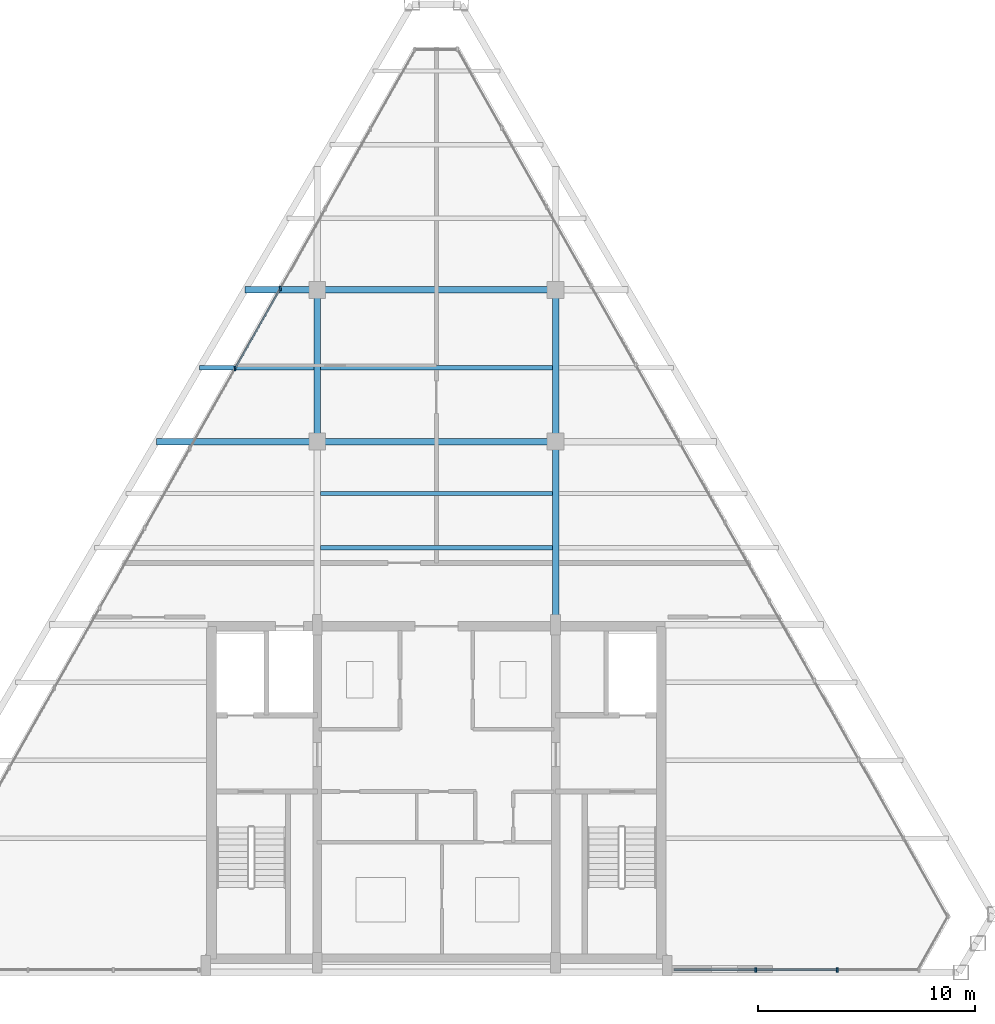
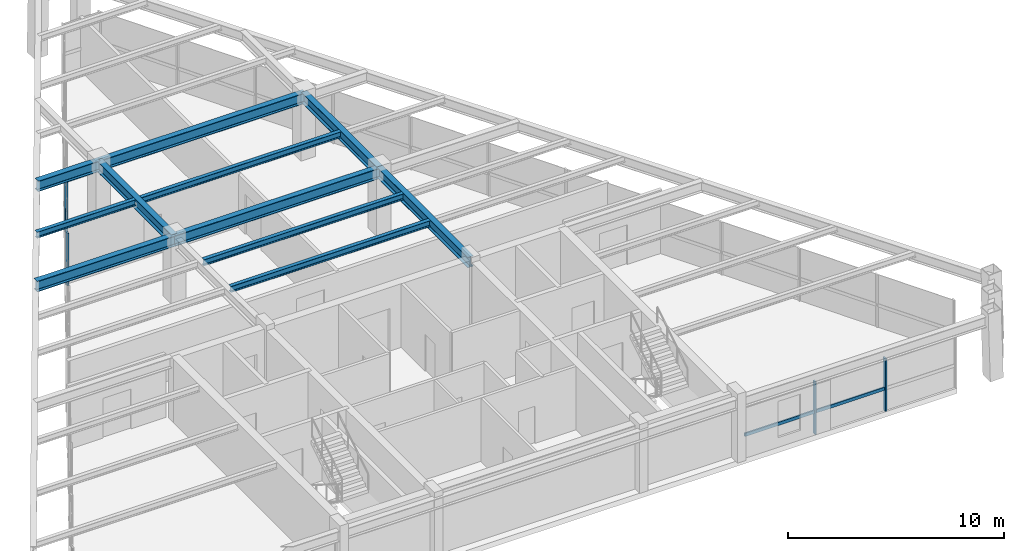
# One storey, part 5 of 12: 11 beams, 7 members, 2 elements without a shape of their own.
"""IFC4 building model written with IfcOpenShell, lengths in metres."""

from ifc_helpers import new_model, si_unit, direction, frame, origin, origin_2d, place, context, subcontext, project, spatial, rectangle, i_section, extrude, source, transform, mapped, material, material_profile, profile_set, type_object, type_shapes, element, aggregate, save


model = new_model("IFC4")

# Units and contexts
model_context = context("Model", 3, precision=1e-05, world=origin(), true_north=direction((0.0, 1.0)))
body_context = subcontext(model_context, "Body", "Model", "MODEL_VIEW")
ifc_project = project(units=[si_unit("LENGTHUNIT", "METRE"), si_unit("AREAUNIT", "SQUARE_METRE"), si_unit("VOLUMEUNIT", "CUBIC_METRE"), si_unit("PLANEANGLEUNIT", "RADIAN"), si_unit("MASSUNIT", "GRAM", prefix="KILO")], contexts=[model_context])

# Site, building, storey
site_placement = place(None, origin())
site = spatial("IfcSite", under=ifc_project, at=site_placement, CompositionType="ELEMENT")
building_placement = place(site_placement, origin())
building = spatial("IfcBuilding", under=site, at=building_placement, Name="Varnakhor Terracotta Tower", CompositionType="ELEMENT")
storey_placement = place(building_placement, frame((0.0, 0.0, 317.5)))
storey = spatial("IfcBuildingStorey", under=building, at=storey_placement, Name="L83 Crown", CompositionType="ELEMENT", Elevation=317.5)

# Beams
ifc_material_1 = material(Name="Steel S355", Category="steel")
ifc_material_profile_1 = material_profile(ifc_material_1, i_section(OverallWidth=0.300048828125, OverallDepth=0.60009765625, WebThickness=0.015380859375, FlangeThickness=0.030029296875, FilletRadius=0.01806640625, at=origin_2d()), Name="HEB600")
ifc_profile_set_1 = profile_set([ifc_material_profile_1], Name="Steel S355")
beam_type_1 = type_object("IfcBeamType", Name="BM-HEB600", PredefinedType="BEAM", material=ifc_profile_set_1)
shared_shape_1 = source(origin(), body_context, "Body", "SweptSolid", [
    extrude(i_section(OverallWidth=0.300048828125, OverallDepth=0.60009765625, WebThickness=0.015380859375, FlangeThickness=0.030029296875, FilletRadius=0.01806640625, at=origin_2d()), origin(), (0.0, 0.0, 1.0), 8.449951171875),
])
beam_1_placement = place(storey_placement, frame((5.5, 16.050048828125, 3.300048828125), z_axis=(0.0, 1.0, 0.0), x_axis=(-1.0, 0.0, 0.0)))
element("IfcBeam", 1, at=beam_1_placement, inside=storey, type_object=beam_type_1, Name="L83 Crown Primary Girder NS1-E", PredefinedType="BEAM", context=body_context, shape_type="MappedRepresentation", body=[
    mapped(shared_shape_1, transform((0.0, 0.0, 0.0), scale=1.0)),
])
shared_shape_2 = source(origin(), body_context, "Body", "SweptSolid", [
    extrude(i_section(OverallWidth=0.300048828125, OverallDepth=0.60009765625, WebThickness=0.015380859375, FlangeThickness=0.030029296875, FilletRadius=0.01806640625, at=origin_2d()), origin(), (0.0, 0.0, 1.0), 7.0),
])
for number, where, z_axis, x_axis, name in (
    (2, (-5.5, 24.5, 3.300048828125), (0.0, 1.0, 0.0), (-1.0, 0.0, 0.0), "L83 Crown Primary Girder NS2-W"),
    (3, (5.5, 24.5, 3.300048828125), (0.0, 1.0, 0.0), (-1.0, 0.0, 0.0), "L83 Crown Primary Girder NS2-E"),
):
    element("IfcBeam", number, at=place(storey_placement, frame(where, z_axis=z_axis, x_axis=x_axis)), inside=storey, type_object=beam_type_1, Name=name, PredefinedType="BEAM", context=body_context, shape_type="MappedRepresentation", body=[
        mapped(shared_shape_2, transform((0.0, 0.0, 0.0), scale=1.0)),
    ])
shared_shape_3 = source(origin(), body_context, "Body", "SweptSolid", [
    extrude(i_section(OverallWidth=0.300048828125, OverallDepth=0.60009765625, WebThickness=0.015380859375, FlangeThickness=0.030029296875, FilletRadius=0.01806640625, at=origin_2d()), origin(), (0.0, 0.0, 1.0), 11.0),
])
for number, where, z_axis, x_axis, name in (
    (4, (-5.5, 24.5, 3.300048828125), (1.0, 0.0, 0.0), (0.0, 1.0, 0.0), "L83 Crown Primary Girder EW2-2"),
    (5, (-5.5, 31.5, 3.300048828125), (1.0, 0.0, 0.0), (0.0, 1.0, 0.0), "L83 Crown Primary Girder EW3-2"),
):
    element("IfcBeam", number, at=place(storey_placement, frame(where, z_axis=z_axis, x_axis=x_axis)), inside=storey, type_object=beam_type_1, Name=name, PredefinedType="BEAM", context=body_context, shape_type="MappedRepresentation", body=[
        mapped(shared_shape_3, transform((0.0, 0.0, 0.0), scale=1.0)),
    ])
ifc_material_profile_2 = material_profile(ifc_material_1, i_section(OverallWidth=0.202880859375, OverallDepth=0.346923828125, WebThickness=0.0078125, FlangeThickness=0.013427734375, FilletRadius=0.01806640625, at=origin_2d()), Name="W14X43")
ifc_profile_set_2 = profile_set([ifc_material_profile_2], Name="Steel S355")
beam_type_2 = type_object("IfcBeamType", Name="JST-W14X43", PredefinedType="JOIST", material=ifc_profile_set_2)
shared_shape_4 = source(origin(), body_context, "Body", "SweptSolid", [
    extrude(i_section(OverallWidth=0.202880859375, OverallDepth=0.346923828125, WebThickness=0.0078125, FlangeThickness=0.013427734375, FilletRadius=0.01806640625, at=origin_2d()), origin(), (0.0, 0.0, 1.0), 10.7080078125),
])
for number, where, z_axis, x_axis, name in (
    (6, (-5.35400390625, 19.60009765625, 3.426513671875), (1.0, 0.0, 0.0), (0.0, 1.0, 0.0), "L83 Crown Composite Floor Joist 4-2"),
    (7, (-5.35400390625, 22.10009765625, 3.426513671875), (1.0, 0.0, 0.0), (0.0, 1.0, 0.0), "L83 Crown Composite Floor Joist 5-2"),
    (8, (-5.35400390625, 27.89990234375, 3.426513671875), (1.0, 0.0, 0.0), (0.0, 1.0, 0.0), "L83 Crown Composite Floor Joist 6-2"),
):
    element("IfcBeam", number, at=place(storey_placement, frame(where, z_axis=z_axis, x_axis=x_axis)), inside=storey, type_object=beam_type_2, Name=name, PredefinedType="JOIST", context=body_context, shape_type="MappedRepresentation", body=[
        mapped(shared_shape_4, transform((0.0, 0.0, 0.0), scale=1.0)),
    ])
shared_shape_5 = source(origin(), body_context, "Body", "SweptSolid", [
    extrude(i_section(OverallWidth=0.300048828125, OverallDepth=0.60009765625, WebThickness=0.015380859375, FlangeThickness=0.030029296875, FilletRadius=0.01806640625, at=origin_2d()), origin(), (0.0, 0.0, 1.0), 7.425048828125),
])
beam_2_placement = place(storey_placement, frame((-12.925048828125, 24.5, 3.300048828125), z_axis=(1.0, 0.0, 0.0), x_axis=(0.0, 1.0, 0.0)))
element("IfcBeam", 9, at=beam_2_placement, inside=storey, type_object=beam_type_1, Name="L83 Crown Primary Girder EW2-1", PredefinedType="BEAM", context=body_context, shape_type="MappedRepresentation", body=[
    mapped(shared_shape_5, transform((0.0, 0.0, 0.0), scale=1.0)),
])
shared_shape_6 = source(origin(), body_context, "Body", "SweptSolid", [
    extrude(i_section(OverallWidth=0.300048828125, OverallDepth=0.60009765625, WebThickness=0.015380859375, FlangeThickness=0.030029296875, FilletRadius=0.01806640625, at=origin_2d()), origin(), (0.0, 0.0, 1.0), 3.3310546875),
])
beam_3_placement = place(storey_placement, frame((-8.8310546875, 31.5, 3.300048828125), z_axis=(1.0, 0.0, 0.0), x_axis=(0.0, 1.0, 0.0)))
element("IfcBeam", 10, at=beam_3_placement, inside=storey, type_object=beam_type_1, Name="L83 Crown Primary Girder EW3-1", PredefinedType="BEAM", context=body_context, shape_type="MappedRepresentation", body=[
    mapped(shared_shape_6, transform((0.0, 0.0, 0.0), scale=1.0)),
])
shared_shape_7 = source(origin(), body_context, "Body", "SweptSolid", [
    extrude(i_section(OverallWidth=0.202880859375, OverallDepth=0.346923828125, WebThickness=0.0078125, FlangeThickness=0.013427734375, FilletRadius=0.01806640625, at=origin_2d()), origin(), (0.0, 0.0, 1.0), 5.29052734375),
])
beam_4_placement = place(storey_placement, frame((-10.9365234375, 27.89990234375, 3.426513671875), z_axis=(1.0, 0.0, 0.0), x_axis=(0.0, 1.0, 0.0)))
element("IfcBeam", 11, at=beam_4_placement, inside=storey, type_object=beam_type_2, Name="L83 Crown Composite Floor Joist 6-1", PredefinedType="JOIST", context=body_context, shape_type="MappedRepresentation", body=[
    mapped(shared_shape_7, transform((0.0, 0.0, 0.0), scale=1.0)),
])

# Curtain wall, members
ifc_material_2 = material(Name="Anodised Aluminium Curtain Wall System", Category="aluminium")
curtain_wall_type = type_object("IfcCurtainWallType", Name="CW-SYS-CROWN", PredefinedType="NOTDEFINED", material=ifc_material_2)
curtain_wall_1_placement = place(storey_placement, origin())
curtain_wall_1 = element("IfcCurtainWall", 12, at=curtain_wall_1_placement, inside=storey, type_object=curtain_wall_type, Name="L83 Crown Facet Curtain Wall 1", PredefinedType="NOTDEFINED")
ifc_material_3 = material(Name="Anodised Aluminium 6063-T6", Category="aluminium")
ifc_material_profile_3 = material_profile(ifc_material_3, rectangle(XDim=0.080078125, YDim=0.205078125, at=origin_2d()), Name="ALU MULLION 80x205")
ifc_profile_set_3 = profile_set([ifc_material_profile_3], Name="Anodised Aluminium 6063-T6")
member_type_1 = type_object("IfcMemberType", Name="CWM-06", PredefinedType="MULLION", material=ifc_profile_set_3)
shared_shape_8 = source(origin(), body_context, "Body", "SweptSolid", [
    extrude(rectangle(XDim=0.080078125, YDim=0.205078125, at=origin_2d()), origin(), (0.0, 0.0, 1.0), 2.97998046875),
])
type_shapes(member_type_1, [shared_shape_8])
member_1_placement = place(storey_placement, frame((-9.2900390625, 27.87451171875, 0.0), z_axis=(0.0, 0.0, 1.0), x_axis=(1.0, 0.0, 0.0)))
member_1 = element("IfcMember", 13, at=member_1_placement, type_object=member_type_1, Name="L83 Crown Facet Curtain Wall 1 Mullion 8", PredefinedType="MULLION", context=body_context, shape_type="MappedRepresentation", body=[
    mapped(shared_shape_8, transform((0.0, 0.0, 0.0), scale=1.0)),
])
member_2_placement = place(storey_placement, frame((-7.206298828125, 31.560791015625, 0.0), z_axis=(0.0, 0.0, 1.0), x_axis=(1.0, 0.0, 0.0)))
member_2 = element("IfcMember", 14, at=member_2_placement, type_object=member_type_1, Name="L83 Crown Facet Curtain Wall 1 Mullion 9", PredefinedType="MULLION", context=body_context, shape_type="MappedRepresentation", body=[
    mapped(shared_shape_8, transform((0.0, 0.0, 0.0), scale=1.0)),
])

curtain_wall_2_placement = place(storey_placement, origin())
curtain_wall_2 = element("IfcCurtainWall", 15, at=curtain_wall_2_placement, inside=storey, type_object=curtain_wall_type, Name="L83 Crown South Wing Curtain Wall SSE", PredefinedType="NOTDEFINED")
member_3_placement = place(storey_placement, frame((18.50048828125, 0.1201171875, 0.0), z_axis=(0.0, 0.0, 1.0), x_axis=(1.0, 0.0, 0.0)))
member_3 = element("IfcMember", 16, at=member_3_placement, type_object=member_type_1, Name="L83 Crown South Wing Curtain Wall SSE Mullion 2", PredefinedType="MULLION", context=body_context, shape_type="MappedRepresentation", body=[
    mapped(shared_shape_8, transform((0.0, 0.0, 0.0), scale=1.0)),
])
member_4_placement = place(storey_placement, frame((14.735107421875, 0.1201171875, 0.0), z_axis=(0.0, 0.0, 1.0), x_axis=(1.0, 0.0, 0.0)))
member_4 = element("IfcMember", 17, at=member_4_placement, type_object=member_type_1, Name="L83 Crown South Wing Curtain Wall SSE Mullion 3", PredefinedType="MULLION", context=body_context, shape_type="MappedRepresentation", body=[
    mapped(shared_shape_8, transform((0.0, 0.0, 0.0), scale=1.0)),
])

# Member
ifc_material_profile_4 = material_profile(ifc_material_3, rectangle(XDim=0.080078125, YDim=0.179931640625, at=origin_2d()), Name="ALU TRANSOM 80x180")
ifc_profile_set_4 = profile_set([ifc_material_profile_4], Name="Anodised Aluminium 6063-T6")
member_type_2 = type_object("IfcMemberType", Name="CWT-06", PredefinedType="USERDEFINED", material=ifc_profile_set_4)
shared_shape_9 = source(origin(), body_context, "Body", "SweptSolid", [
    extrude(rectangle(XDim=0.080078125, YDim=0.179931640625, at=origin_2d()), origin(), (0.0, 0.0, 1.0), 4.234375),
])
member_5_placement = place(storey_placement, frame((-9.2900390625, 27.87451171875, 1.251708984375), z_axis=(0.492091453226, 0.870543509345, 0.0), x_axis=(-0.870543509345, 0.492091453226, 0.0)))
member_5 = element("IfcMember", 18, at=member_5_placement, type_object=member_type_2, Name="L83 Crown Facet Curtain Wall 1 Transom 8", ObjectType="TRANSOM", PredefinedType="USERDEFINED", context=body_context, shape_type="MappedRepresentation", body=[
    mapped(shared_shape_9, transform((0.0, 0.0, 0.0), scale=1.0)),
])

aggregate(curtain_wall_1, [member_1, member_5, member_2])

shared_shape_10 = source(origin(), body_context, "Body", "SweptSolid", [
    extrude(rectangle(XDim=0.080078125, YDim=0.179931640625, at=origin_2d()), origin(), (0.0, 0.0, 1.0), 3.76513671875),
])
member_6_placement = place(storey_placement, frame((14.735107421875, 0.1201171875, 1.251708984375), z_axis=(-1.0, 0.0, 0.0), x_axis=(0.0, -1.0, 0.0)))
member_6 = element("IfcMember", 19, at=member_6_placement, type_object=member_type_2, Name="L83 Crown South Wing Curtain Wall SSE Transom 3", ObjectType="TRANSOM", PredefinedType="USERDEFINED", context=body_context, shape_type="MappedRepresentation", body=[
    mapped(shared_shape_10, transform((0.0, 0.0, 0.0), scale=1.0)),
])

shared_shape_11 = source(origin(), body_context, "Body", "SweptSolid", [
    extrude(rectangle(XDim=0.080078125, YDim=0.179931640625, at=origin_2d()), origin(), (0.0, 0.0, 1.0), 3.765380859375),
])
member_7_placement = place(storey_placement, frame((18.50048828125, 0.1201171875, 1.251708984375), z_axis=(-1.0, 0.0, 0.0), x_axis=(0.0, -1.0, 0.0)))
member_7 = element("IfcMember", 20, at=member_7_placement, type_object=member_type_2, Name="L83 Crown South Wing Curtain Wall SSE Transom 2", ObjectType="TRANSOM", PredefinedType="USERDEFINED", context=body_context, shape_type="MappedRepresentation", body=[
    mapped(shared_shape_11, transform((0.0, 0.0, 0.0), scale=1.0)),
])

aggregate(curtain_wall_2, [member_3, member_7, member_4, member_6])

save(model, "model.ifc")
